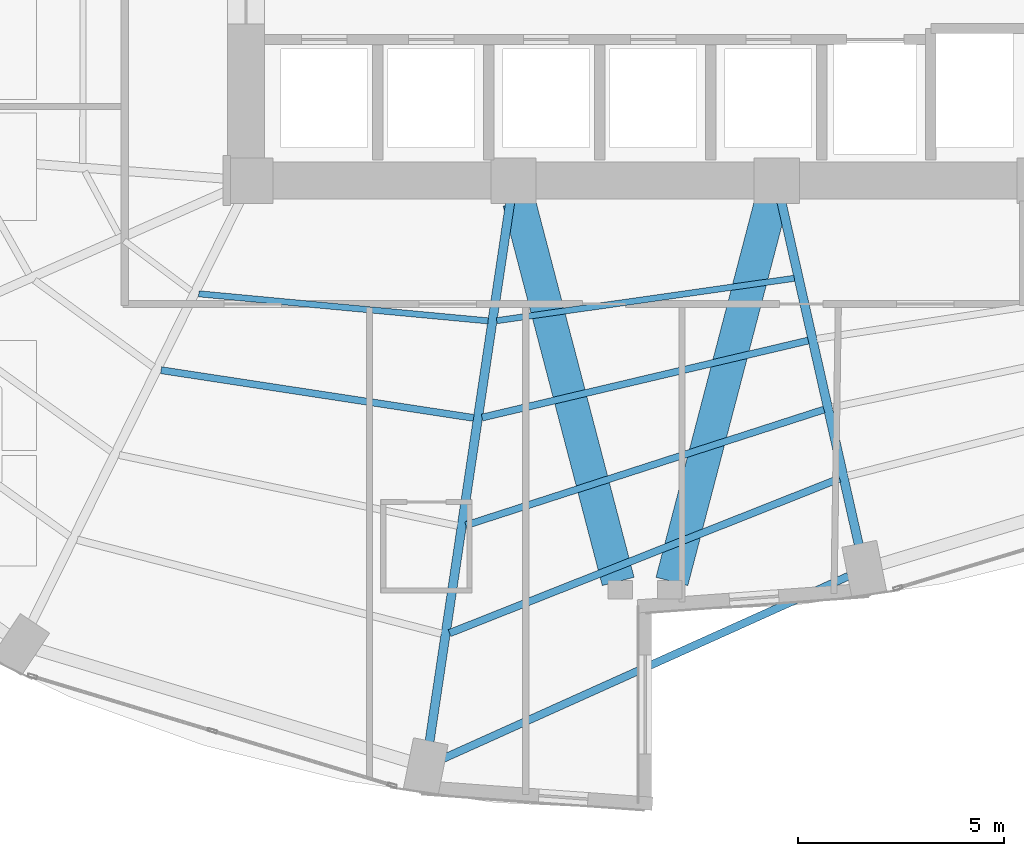
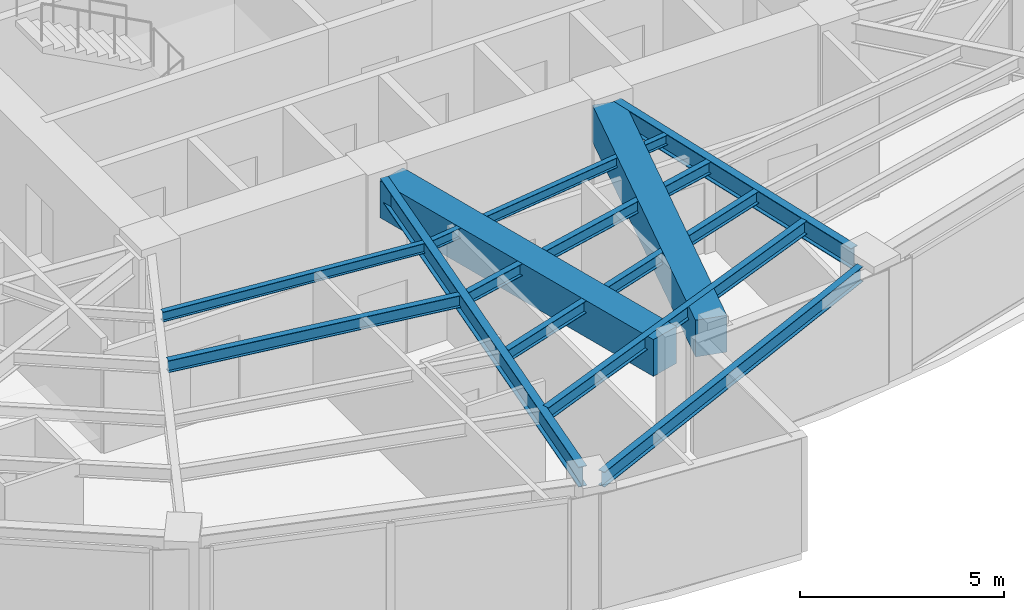
# One storey, part 6 of 25: 11 beams.
"""IFC4 building model written with IfcOpenShell, lengths in metres."""

import ifcopenshell
import ifcopenshell.guid

model = None  # the IFC model being written
_history = None  # IfcOwnerHistory: only IFC2X3 demands one
_inside = {}  # id of a spatial element -> (the spatial element, [elements in it])
_under = {}  # id of a project, library or spatial element -> (it, [spatial elements below it])
_declared = {}  # id of a project -> (the project, [libraries it declares])
_typed = {}  # id of a type object -> (the type object, [elements of that type])
_made_of = {}  # id of a material, layer set ... -> (it, [elements and type objects made of it])


def new_model(schema):
    """Start an empty IFC model of exactly this schema.

    Asked for "IFC4X3", IfcOpenShell would pick the latest addendum, in which some entities
    have other attributes; the version numbers below select the first issue.
    IFC2X3 requires an IfcOwnerHistory on every rooted entity: one is made here for all.
    """
    global model, _history
    if schema == "IFC4X3":
        model = ifcopenshell.file(schema_version=(4, 3, 0, 0))
    else:
        model = ifcopenshell.file(schema=schema)
    _inside.clear()
    _under.clear()
    _declared.clear()
    _typed.clear()
    _made_of.clear()
    _history = None
    if model.schema == "IFC2X3":
        org = make("IfcOrganization", Name="unknown")
        user = make(
            "IfcPersonAndOrganization",
            ThePerson=make("IfcPerson", FamilyName="unknown"),
            TheOrganization=org,
        )
        app = make(
            "IfcApplication",
            ApplicationDeveloper=org,
            Version="unknown",
            ApplicationFullName="unknown",
            ApplicationIdentifier="unknown",
        )
        _history = make(
            "IfcOwnerHistory",
            OwningUser=user,
            OwningApplication=app,
            ChangeAction="ADDED",
            CreationDate=0,
        )
    return model


def make(cls, **values):
    """One entity of the class cls with the attributes given. An attribute that is None is left unset."""
    return model.create_entity(
        cls, **{name: value for name, value in values.items() if value is not None}
    )


def rooted(cls, **values):
    """An entity with a GlobalId (a new one), such as an element, a storey or a relation."""
    return make(cls, GlobalId=ifcopenshell.guid.new(), OwnerHistory=_history, **values)


def si_unit(unit_type, name, prefix=None):
    """IfcSIUnit, for example si_unit("LENGTHUNIT", "METRE", prefix="MILLI")."""
    return make("IfcSIUnit", UnitType=unit_type, Prefix=prefix, Name=name)


def assignment(units):
    """IfcUnitAssignment: the units of a project."""
    return None if units is None else make("IfcUnitAssignment", Units=units)


def point(xyz):
    """IfcCartesianPoint."""
    return None if xyz is None else make("IfcCartesianPoint", Coordinates=xyz)


def direction(xyz):
    """IfcDirection."""
    return None if xyz is None else make("IfcDirection", DirectionRatios=xyz)


def frame(location, z_axis=None, x_axis=None):
    """IfcAxis2Placement3D, a coordinate frame: its origin and axes. An axis left out is left unset."""
    return make(
        "IfcAxis2Placement3D",
        Location=point(location),
        Axis=direction(z_axis),
        RefDirection=direction(x_axis),
    )


def frame_2d(location, x_axis=None):
    """IfcAxis2Placement2D, a coordinate frame in the plane: its origin and x axis."""
    return make(
        "IfcAxis2Placement2D", Location=point(location), RefDirection=direction(x_axis)
    )


def origin():
    """The frame at (0, 0, 0) with its axes left unset."""
    return frame((0.0, 0.0, 0.0))


def origin_2d():
    """The frame at (0, 0) in the plane with its x axis left unset."""
    return frame_2d((0.0, 0.0))


def place(relative_to, where):
    """IfcLocalPlacement: puts the frame where relative to a parent placement (None: the world)."""
    return make(
        "IfcLocalPlacement", PlacementRelTo=relative_to, RelativePlacement=where
    )


def context(
    kind, dimensions, precision=None, world=None, true_north=None, identifier=None
):
    """IfcGeometricRepresentationContext, for example the 3D "Model" context."""
    return make(
        "IfcGeometricRepresentationContext",
        ContextIdentifier=identifier,
        ContextType=kind,
        CoordinateSpaceDimension=dimensions,
        Precision=precision,
        WorldCoordinateSystem=world,
        TrueNorth=true_north,
    )


def subcontext(parent, identifier, kind, view, scale=None):
    """IfcGeometricRepresentationSubContext, for example "Body" below "Model"."""
    return make(
        "IfcGeometricRepresentationSubContext",
        ContextIdentifier=identifier,
        ContextType=kind,
        ParentContext=parent,
        TargetScale=scale,
        TargetView=view,
    )


def project(units=None, contexts=None):
    """IfcProject with its units and contexts."""
    return rooted(
        "IfcProject",
        Name="project",
        RepresentationContexts=contexts,
        UnitsInContext=assignment(units),
    )


def spatial(cls, under=None, at=None, **own):
    """A site, building, storey or space (cls), placed at a placement, below another one or the project."""
    s = rooted(cls, ObjectPlacement=at, **own)
    if under is not None:
        _under.setdefault(under.id(), (under, []))[1].append(s)
    return s


def profile(cls, at=None, kind="AREA", **sizes):
    """A parametric profile (cls). Its sizes go by their IFC names, for example OverallWidth=200.0."""
    return make(cls, ProfileType=kind, Position=at, **sizes)


def rectangle(**sizes):
    """IfcRectangleProfileDef."""
    return profile("IfcRectangleProfileDef", **sizes)


def i_section(**sizes):
    """IfcIShapeProfileDef."""
    return profile("IfcIShapeProfileDef", **sizes)


def extrude(swept, where, along, depth):
    """IfcExtrudedAreaSolid: the profile swept, set in the frame where, extruded along a direction by depth."""
    return make(
        "IfcExtrudedAreaSolid",
        SweptArea=swept,
        Position=where,
        ExtrudedDirection=direction(along),
        Depth=depth,
    )


def shape(context_of_items, identifier, shape_type, items):
    """IfcShapeRepresentation: the items that make up one representation, for example the "Body"."""
    return make(
        "IfcShapeRepresentation",
        ContextOfItems=context_of_items,
        RepresentationIdentifier=identifier,
        RepresentationType=shape_type,
        Items=items,
    )


def material(Name=None, Category=None):
    """IfcMaterial."""
    return make("IfcMaterial", Name=Name, Category=Category)


def material_profile(
    of_material, cross_section, Name=None, Category=None, Priority=None
):
    """IfcMaterialProfile: a cross section and its material."""
    return make(
        "IfcMaterialProfile",
        Name=Name,
        Material=of_material,
        Profile=cross_section,
        Priority=Priority,
        Category=Category,
    )


def profile_set(profiles, Name=None, composite=None):
    """IfcMaterialProfileSet."""
    return make(
        "IfcMaterialProfileSet",
        Name=Name,
        MaterialProfiles=profiles,
        CompositeProfile=composite,
    )


def made_of(thing, what):
    """Note that an element or type object is made of a material, layer set ...; save() writes the relation."""
    if what is not None:
        _made_of.setdefault(what.id(), (what, []))[1].append(thing)
    return thing


def type_object(cls, material=None, **own):
    """A type object (cls), such as IfcWallType, which elements share."""
    return made_of(rooted(cls, **own), material)


def element(
    cls,
    number,
    at=None,
    inside=None,
    cuts=None,
    type_object=None,
    material=None,
    context=None,
    identifier="Body",
    shape_type=None,
    held_by="IfcProductDefinitionShape",
    body=None,
    shapes=None,
    **own,
):
    """One element of the class cls, such as IfcWall. Its Tag is "e" and its number.

    at: its placement. inside: the storey or other place that contains it. cuts: it is an
    opening in that element (IfcRelVoidsElement). A single representation is given by context,
    identifier, shape_type and body (its items); several are given by shapes. held_by: the class
    of the entity that holds the representations. save() writes the other relations.
    """
    e = rooted(cls, Tag="e%d" % number, ObjectPlacement=at, **own)
    if body is not None:
        shapes = [shape(context, identifier, shape_type, body)]
    if shapes is not None:
        e.Representation = make(held_by, Representations=shapes)
    if inside is not None:
        _inside.setdefault(inside.id(), (inside, []))[1].append(e)
    if cuts is not None:
        rooted(
            "IfcRelVoidsElement", RelatingBuildingElement=cuts, RelatedOpeningElement=e
        )
    if type_object is not None:
        _typed.setdefault(type_object.id(), (type_object, []))[1].append(e)
    return made_of(e, material)


def aggregate(whole, parts):
    """IfcRelAggregates: a whole, such as a stair, and the parts it consists of."""
    return rooted("IfcRelAggregates", RelatingObject=whole, RelatedObjects=parts)


def save(model, path):
    """Write the relations noted so far, then the file.

    IfcRelAggregates (storeys below a building ...), IfcRelContainedInSpatialStructure (elements
    in a storey), IfcRelDefinesByType, IfcRelAssociatesMaterial and IfcRelDeclares: one each for
    every whole, place, type object, material and project.
    """
    for whole, parts in _under.values():
        aggregate(whole, parts)
    for where, things in _inside.values():
        rooted(
            "IfcRelContainedInSpatialStructure",
            RelatedElements=things,
            RelatingStructure=where,
        )
    for kind, things in _typed.values():
        rooted("IfcRelDefinesByType", RelatedObjects=things, RelatingType=kind)
    for what, things in _made_of.values():
        rooted("IfcRelAssociatesMaterial", RelatedObjects=things, RelatingMaterial=what)
    for by, libraries in _declared.values():
        rooted("IfcRelDeclares", RelatingContext=by, RelatedDefinitions=libraries)
    model.write(path)


model = new_model("IFC4")

# Units and contexts
model_context = context("Model", 3, precision=1e-05, world=origin(), true_north=direction((0.0, 1.0)))
body_context = subcontext(model_context, "Body", "Model", "MODEL_VIEW")
ifc_project = project(units=[si_unit("LENGTHUNIT", "METRE"), si_unit("AREAUNIT", "SQUARE_METRE"), si_unit("VOLUMEUNIT", "CUBIC_METRE"), si_unit("PLANEANGLEUNIT", "RADIAN"), si_unit("MASSUNIT", "GRAM", prefix="KILO")], contexts=[model_context])

# Site, building, storey
site_placement = place(None, origin())
site = spatial("IfcSite", under=ifc_project, at=site_placement, CompositionType="ELEMENT")
building_placement = place(site_placement, origin())
building = spatial("IfcBuilding", under=site, at=building_placement, Name="Lazwardi Medical Tower", CompositionType="ELEMENT")
storey_placement = place(building_placement, frame((0.0, 0.0, 32.49609375)))
storey = spatial("IfcBuildingStorey", under=building, at=storey_placement, Name="L07", CompositionType="ELEMENT", Elevation=32.49609375)

# Beams
ifc_material_1 = material(Name="Concrete C70/85", Category="concrete")
ifc_material_profile_1 = material_profile(ifc_material_1, rectangle(XDim=0.800048828125, YDim=1.10009765625, at=origin_2d()), Name="RC 800x1100")
ifc_profile_set_1 = profile_set([ifc_material_profile_1], Name="Concrete C70/85")
beam_type_1 = type_object("IfcBeamType", Name="BM-CB-RC1", PredefinedType="LINTEL", material=ifc_profile_set_1)
for number, where, z_axis, x_axis, name in (
    (1, (32.935302734375, 19.88232421875, 2.8779296875), (0.252819877511, -0.967513364009, 0.0), (0.967513364009, 0.252819877511, 0.0), "Core coupling lintel CB-01 PL3 L07"),
    (2, (39.064697265625, 19.88232421875, 2.8779296875), (-0.252819877511, -0.967513364009, 0.0), (0.967513364009, -0.252819877511, 0.0), "Core coupling lintel CB-01 PL4 L07"),
):
    element("IfcBeam", number, at=place(storey_placement, frame(where, z_axis=z_axis, x_axis=x_axis)), inside=storey, type_object=beam_type_1, Name=name, PredefinedType="LINTEL", context=body_context, shape_type="SweptSolid", body=[
        extrude(rectangle(XDim=0.800048828125, YDim=1.10009765625, at=origin_2d()), origin(), (0.0, 0.0, 1.0), 9.538818359375),
    ])
ifc_material_2 = material(Name="Steel S355", Category="steel")
ifc_material_profile_2 = material_profile(ifc_material_2, i_section(OverallWidth=0.219970703125, OverallDepth=0.60009765625, WebThickness=0.011962890625, FlangeThickness=0.01904296875, at=origin_2d()), Name="IPE 600")
ifc_profile_set_2 = profile_set([ifc_material_profile_2], Name="Steel S355")
beam_type_2 = type_object("IfcBeamType", Name="BM-RG-W1", PredefinedType="BEAM", material=ifc_profile_set_2)
beam_1_placement = place(storey_placement, frame((41.203125, 11.521728515625, 3.1279296875), z_axis=(-0.22010079219, 0.975477135189, 0.0), x_axis=(-0.975477135189, -0.22010079219, 0.0)))
element("IfcBeam", 3, at=beam_1_placement, inside=storey, type_object=beam_type_2, Name="Radial girder RG-02 R01 L07", PredefinedType="BEAM", context=body_context, shape_type="SweptSolid", body=[
    extrude(i_section(OverallWidth=0.219970703125, OverallDepth=0.60009765625, WebThickness=0.011962890625, FlangeThickness=0.01904296875, at=origin_2d()), origin(), (0.0, 0.0, 1.0), 8.56640625),
])
beam_2_placement = place(storey_placement, frame((30.7548828125, 6.7294921875, 3.1279296875), z_axis=(0.147944218183, 0.98899570692, 0.0), x_axis=(-0.98899570692, 0.147944218183, 0.0)))
element("IfcBeam", 4, at=beam_2_placement, inside=storey, type_object=beam_type_2, Name="Radial girder RG-02 R16 L07", PredefinedType="BEAM", context=body_context, shape_type="SweptSolid", body=[
    extrude(i_section(OverallWidth=0.219970703125, OverallDepth=0.60009765625, WebThickness=0.011962890625, FlangeThickness=0.01904296875, at=origin_2d()), origin(), (0.0, 0.0, 1.0), 13.28759765625),
])
ifc_material_profile_3 = material_profile(ifc_material_2, i_section(OverallWidth=0.179931640625, OverallDepth=0.39990234375, WebThickness=0.008544921875, FlangeThickness=0.013427734375, at=origin_2d()), Name="IPE 400")
ifc_profile_set_3 = profile_set([ifc_material_profile_3], Name="Steel S355")
beam_type_3 = type_object("IfcBeamType", Name="BM-SJ-01", PredefinedType="JOIST", material=ifc_profile_set_3)
beam_3_placement = place(storey_placement, frame((31.245849609375, 9.396484375, 3.22802734375), z_axis=(0.929663713752, 0.368409255222, 0.0), x_axis=(-0.368409255222, 0.929663713752, 0.0)))
element("IfcBeam", 5, at=beam_3_placement, inside=storey, type_object=beam_type_3, Name="Secondary joist SJ-01 R1 B16 L07", PredefinedType="JOIST", context=body_context, shape_type="SweptSolid", body=[
    extrude(i_section(OverallWidth=0.179931640625, OverallDepth=0.39990234375, WebThickness=0.008544921875, FlangeThickness=0.013427734375, at=origin_2d()), origin(), (0.0, 0.0, 1.0), 10.2001953125),
])
ifc_material_profile_4 = material_profile(ifc_material_2, i_section(OverallWidth=0.169921875, OverallDepth=0.360107421875, WebThickness=0.008056640625, FlangeThickness=0.0126953125, at=origin_2d()), Name="IPE 360")
ifc_profile_set_4 = profile_set([ifc_material_profile_4], Name="Steel S355")
beam_type_4 = type_object("IfcBeamType", Name="BM-SJ-02", PredefinedType="JOIST", material=ifc_profile_set_4)
beam_4_placement = place(storey_placement, frame((31.64111328125, 12.018310546875, 3.247802734375), z_axis=(0.951558895485, 0.307466532199, 0.0), x_axis=(-0.307466532199, 0.951558895485, 0.0)))
element("IfcBeam", 6, at=beam_4_placement, inside=storey, type_object=beam_type_4, Name="Secondary joist SJ-02 R2 B16 L07", PredefinedType="JOIST", context=body_context, shape_type="SweptSolid", body=[
    extrude(i_section(OverallWidth=0.169921875, OverallDepth=0.360107421875, WebThickness=0.008056640625, FlangeThickness=0.0126953125, at=origin_2d()), origin(), (0.0, 0.0, 1.0), 9.1513671875),
])
beam_5_placement = place(storey_placement, frame((24.23193359375, 15.790771484375, 3.247802734375), z_axis=(0.988535611365, -0.150987897074, 0.0), x_axis=(0.150987897074, 0.988535611365, 0.0)))
element("IfcBeam", 7, at=beam_5_placement, inside=storey, type_object=beam_type_4, Name="Secondary joist SJ-02 R3 B15 L07", PredefinedType="JOIST", context=body_context, shape_type="SweptSolid", body=[
    extrude(i_section(OverallWidth=0.169921875, OverallDepth=0.360107421875, WebThickness=0.008056640625, FlangeThickness=0.0126953125, at=origin_2d()), origin(), (0.0, 0.0, 1.0), 7.68701171875),
])
beam_6_placement = place(storey_placement, frame((32.03662109375, 14.638427734375, 3.247802734375), z_axis=(0.973240904247, 0.229787167397, 0.0), x_axis=(-0.229787167397, 0.973240904247, 0.0)))
element("IfcBeam", 8, at=beam_6_placement, inside=storey, type_object=beam_type_4, Name="Secondary joist SJ-02 R3 B16 L07", PredefinedType="JOIST", context=body_context, shape_type="SweptSolid", body=[
    extrude(i_section(OverallWidth=0.169921875, OverallDepth=0.360107421875, WebThickness=0.008056640625, FlangeThickness=0.0126953125, at=origin_2d()), origin(), (0.0, 0.0, 1.0), 8.151123046875),
])
ifc_material_profile_5 = material_profile(ifc_material_2, i_section(OverallWidth=0.14990234375, OverallDepth=0.300048828125, WebThickness=0.007080078125, FlangeThickness=0.0107421875, at=origin_2d()), Name="IPE 300")
ifc_profile_set_5 = profile_set([ifc_material_profile_5], Name="Steel S355")
beam_type_5 = type_object("IfcBeamType", Name="BM-SJ-03", PredefinedType="JOIST", material=ifc_profile_set_5)
beam_7_placement = place(storey_placement, frame((25.148193359375, 17.64794921875, 3.27783203125), z_axis=(0.995649263748, -0.093180167407, 0.0), x_axis=(0.093180167407, 0.995649263748, 0.0)))
element("IfcBeam", 9, at=beam_7_placement, inside=storey, type_object=beam_type_5, Name="Secondary joist SJ-03 R4 B15 L07", PredefinedType="JOIST", context=body_context, shape_type="SweptSolid", body=[
    extrude(i_section(OverallWidth=0.14990234375, OverallDepth=0.300048828125, WebThickness=0.007080078125, FlangeThickness=0.0107421875, at=origin_2d()), origin(), (0.0, 0.0, 1.0), 7.06640625),
])
beam_8_placement = place(storey_placement, frame((32.392333984375, 16.99462890625, 3.27783203125), z_axis=(0.99001552228, 0.140958382672, 0.0), x_axis=(-0.140958382672, 0.99001552228, 0.0)))
element("IfcBeam", 10, at=beam_8_placement, inside=storey, type_object=beam_type_5, Name="Secondary joist SJ-03 R4 B16 L07", PredefinedType="JOIST", context=body_context, shape_type="SweptSolid", body=[
    extrude(i_section(OverallWidth=0.14990234375, OverallDepth=0.300048828125, WebThickness=0.007080078125, FlangeThickness=0.0107421875, at=origin_2d()), origin(), (0.0, 0.0, 1.0), 7.30908203125),
])
ifc_material_profile_6 = material_profile(ifc_material_2, i_section(OverallWidth=0.18994140625, OverallDepth=0.449951171875, WebThickness=0.009521484375, FlangeThickness=0.0146484375, at=origin_2d()), Name="IPE 450")
ifc_profile_set_6 = profile_set([ifc_material_profile_6], Name="Steel S355")
beam_type_6 = type_object("IfcBeamType", Name="BM-SP-01", PredefinedType="SPANDREL", material=ifc_profile_set_6)
beam_9_placement = place(storey_placement, frame((31.05224609375, 6.328369140625, 3.202880859375), z_axis=(0.91184908894, 0.410525564368, 0.0), x_axis=(-0.410525564368, 0.91184908894, 0.0)))
element("IfcBeam", 11, at=beam_9_placement, inside=storey, type_object=beam_type_6, Name="Spandrel beam SP-01 B16 L07", PredefinedType="SPANDREL", context=body_context, shape_type="SweptSolid", body=[
    extrude(i_section(OverallWidth=0.18994140625, OverallDepth=0.449951171875, WebThickness=0.009521484375, FlangeThickness=0.0146484375, at=origin_2d()), origin(), (0.0, 0.0, 1.0), 10.85205078125),
])

save(model, "model.ifc")
